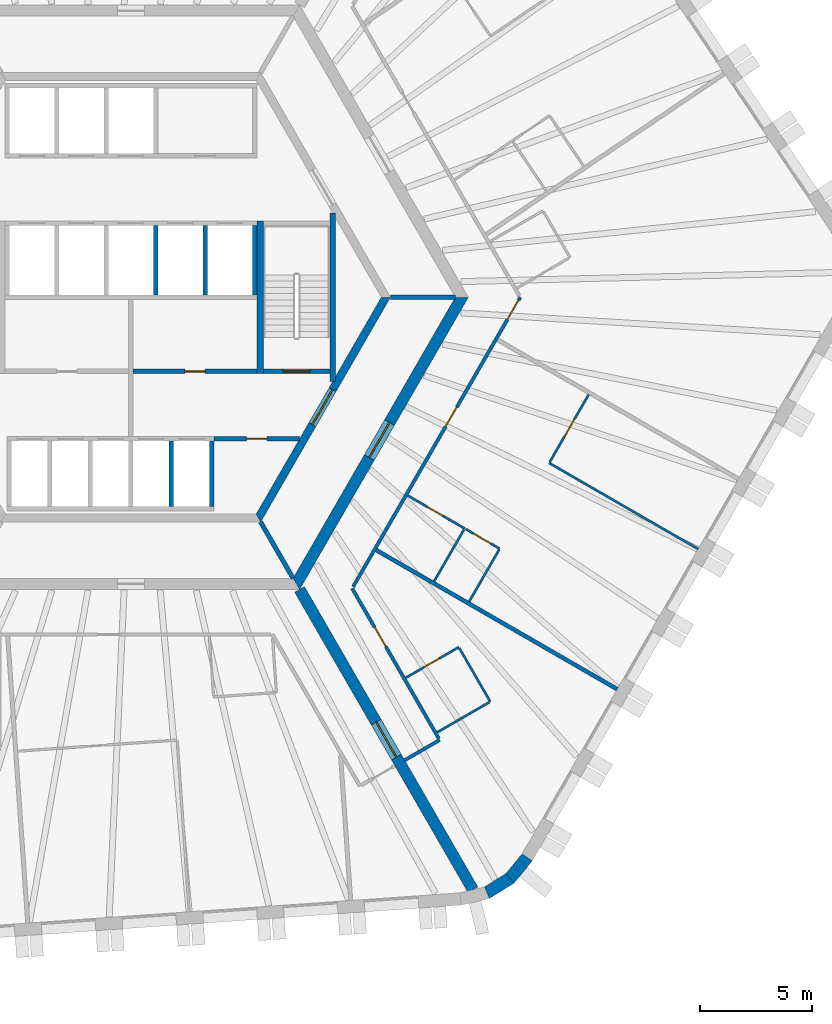
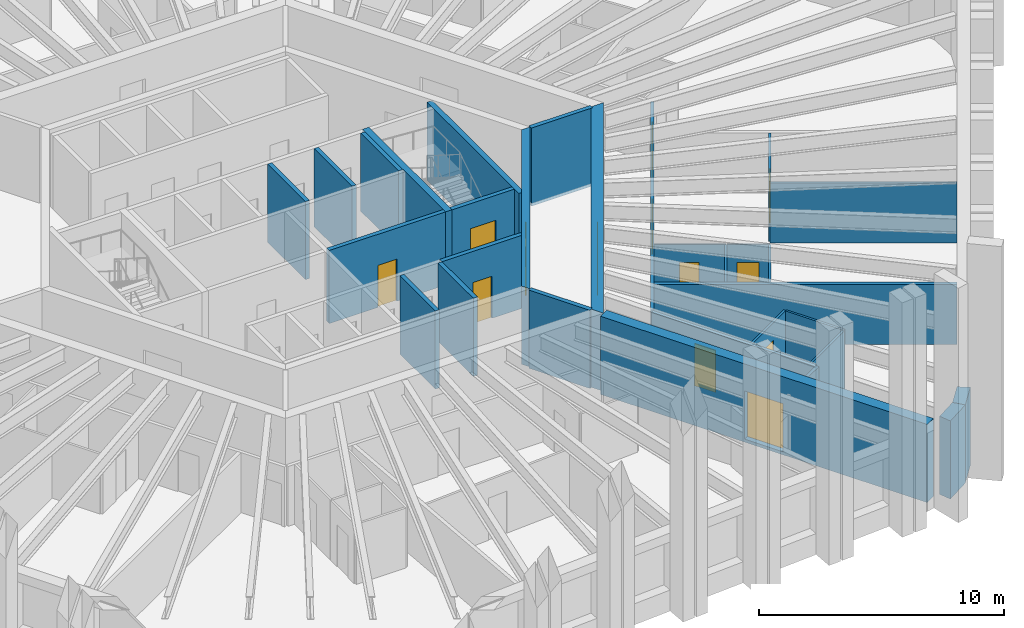
# One storey, part 5 of 11: 30 walls, 13 doors, 13 openings.
"""IFC4 building model written with IfcOpenShell, lengths in metres."""

import ifcopenshell
import ifcopenshell.guid

model = None  # the IFC model being written
_history = None  # IfcOwnerHistory: only IFC2X3 demands one
_inside = {}  # id of a spatial element -> (the spatial element, [elements in it])
_under = {}  # id of a project, library or spatial element -> (it, [spatial elements below it])
_declared = {}  # id of a project -> (the project, [libraries it declares])
_typed = {}  # id of a type object -> (the type object, [elements of that type])
_made_of = {}  # id of a material, layer set ... -> (it, [elements and type objects made of it])


def new_model(schema):
    """Start an empty IFC model of exactly this schema.

    Asked for "IFC4X3", IfcOpenShell would pick the latest addendum, in which some entities
    have other attributes; the version numbers below select the first issue.
    IFC2X3 requires an IfcOwnerHistory on every rooted entity: one is made here for all.
    """
    global model, _history
    if schema == "IFC4X3":
        model = ifcopenshell.file(schema_version=(4, 3, 0, 0))
    else:
        model = ifcopenshell.file(schema=schema)
    _inside.clear()
    _under.clear()
    _declared.clear()
    _typed.clear()
    _made_of.clear()
    _history = None
    if model.schema == "IFC2X3":
        org = make("IfcOrganization", Name="unknown")
        user = make(
            "IfcPersonAndOrganization",
            ThePerson=make("IfcPerson", FamilyName="unknown"),
            TheOrganization=org,
        )
        app = make(
            "IfcApplication",
            ApplicationDeveloper=org,
            Version="unknown",
            ApplicationFullName="unknown",
            ApplicationIdentifier="unknown",
        )
        _history = make(
            "IfcOwnerHistory",
            OwningUser=user,
            OwningApplication=app,
            ChangeAction="ADDED",
            CreationDate=0,
        )
    return model


def make(cls, **values):
    """One entity of the class cls with the attributes given. An attribute that is None is left unset."""
    return model.create_entity(
        cls, **{name: value for name, value in values.items() if value is not None}
    )


def rooted(cls, **values):
    """An entity with a GlobalId (a new one), such as an element, a storey or a relation."""
    return make(cls, GlobalId=ifcopenshell.guid.new(), OwnerHistory=_history, **values)


def si_unit(unit_type, name, prefix=None):
    """IfcSIUnit, for example si_unit("LENGTHUNIT", "METRE", prefix="MILLI")."""
    return make("IfcSIUnit", UnitType=unit_type, Prefix=prefix, Name=name)


def assignment(units):
    """IfcUnitAssignment: the units of a project."""
    return None if units is None else make("IfcUnitAssignment", Units=units)


def point(xyz):
    """IfcCartesianPoint."""
    return None if xyz is None else make("IfcCartesianPoint", Coordinates=xyz)


def direction(xyz):
    """IfcDirection."""
    return None if xyz is None else make("IfcDirection", DirectionRatios=xyz)


def frame(location, z_axis=None, x_axis=None):
    """IfcAxis2Placement3D, a coordinate frame: its origin and axes. An axis left out is left unset."""
    return make(
        "IfcAxis2Placement3D",
        Location=point(location),
        Axis=direction(z_axis),
        RefDirection=direction(x_axis),
    )


def frame_2d(location, x_axis=None):
    """IfcAxis2Placement2D, a coordinate frame in the plane: its origin and x axis."""
    return make(
        "IfcAxis2Placement2D", Location=point(location), RefDirection=direction(x_axis)
    )


def origin():
    """The frame at (0, 0, 0) with its axes left unset."""
    return frame((0.0, 0.0, 0.0))


def place(relative_to, where):
    """IfcLocalPlacement: puts the frame where relative to a parent placement (None: the world)."""
    return make(
        "IfcLocalPlacement", PlacementRelTo=relative_to, RelativePlacement=where
    )


def context(
    kind, dimensions, precision=None, world=None, true_north=None, identifier=None
):
    """IfcGeometricRepresentationContext, for example the 3D "Model" context."""
    return make(
        "IfcGeometricRepresentationContext",
        ContextIdentifier=identifier,
        ContextType=kind,
        CoordinateSpaceDimension=dimensions,
        Precision=precision,
        WorldCoordinateSystem=world,
        TrueNorth=true_north,
    )


def subcontext(parent, identifier, kind, view, scale=None):
    """IfcGeometricRepresentationSubContext, for example "Body" below "Model"."""
    return make(
        "IfcGeometricRepresentationSubContext",
        ContextIdentifier=identifier,
        ContextType=kind,
        ParentContext=parent,
        TargetScale=scale,
        TargetView=view,
    )


def project(units=None, contexts=None):
    """IfcProject with its units and contexts."""
    return rooted(
        "IfcProject",
        Name="project",
        RepresentationContexts=contexts,
        UnitsInContext=assignment(units),
    )


def spatial(cls, under=None, at=None, **own):
    """A site, building, storey or space (cls), placed at a placement, below another one or the project."""
    s = rooted(cls, ObjectPlacement=at, **own)
    if under is not None:
        _under.setdefault(under.id(), (under, []))[1].append(s)
    return s


def polyline(points):
    """IfcPolyline through the points."""
    return make("IfcPolyline", Points=[point(p) for p in points])


def profile(cls, at=None, kind="AREA", **sizes):
    """A parametric profile (cls). Its sizes go by their IFC names, for example OverallWidth=200.0."""
    return make(cls, ProfileType=kind, Position=at, **sizes)


def rectangle(**sizes):
    """IfcRectangleProfileDef."""
    return profile("IfcRectangleProfileDef", **sizes)


def outline(outer, holes=None, kind="AREA"):
    """IfcArbitraryClosedProfileDef: a profile drawn as a closed curve; with holes, ...WithVoids."""
    if holes is None:
        return make("IfcArbitraryClosedProfileDef", ProfileType=kind, OuterCurve=outer)
    return make(
        "IfcArbitraryProfileDefWithVoids",
        ProfileType=kind,
        OuterCurve=outer,
        InnerCurves=holes,
    )


def extrude(swept, where, along, depth):
    """IfcExtrudedAreaSolid: the profile swept, set in the frame where, extruded along a direction by depth."""
    return make(
        "IfcExtrudedAreaSolid",
        SweptArea=swept,
        Position=where,
        ExtrudedDirection=direction(along),
        Depth=depth,
    )


def shape(context_of_items, identifier, shape_type, items):
    """IfcShapeRepresentation: the items that make up one representation, for example the "Body"."""
    return make(
        "IfcShapeRepresentation",
        ContextOfItems=context_of_items,
        RepresentationIdentifier=identifier,
        RepresentationType=shape_type,
        Items=items,
    )


def material(Name=None, Category=None):
    """IfcMaterial."""
    return make("IfcMaterial", Name=Name, Category=Category)


def layer(
    of_material, thickness, ventilated=None, Name=None, Category=None, Priority=None
):
    """IfcMaterialLayer: one layer of a wall or slab, of a material (None: an air gap)."""
    return make(
        "IfcMaterialLayer",
        Material=of_material,
        LayerThickness=thickness,
        IsVentilated=ventilated,
        Name=Name,
        Category=Category,
        Priority=Priority,
    )


def layer_set(layers, Name=None):
    """IfcMaterialLayerSet."""
    return make("IfcMaterialLayerSet", MaterialLayers=layers, LayerSetName=Name)


def made_of(thing, what):
    """Note that an element or type object is made of a material, layer set ...; save() writes the relation."""
    if what is not None:
        _made_of.setdefault(what.id(), (what, []))[1].append(thing)
    return thing


def type_object(cls, material=None, **own):
    """A type object (cls), such as IfcWallType, which elements share."""
    return made_of(rooted(cls, **own), material)


def element(
    cls,
    number,
    at=None,
    inside=None,
    cuts=None,
    type_object=None,
    material=None,
    context=None,
    identifier="Body",
    shape_type=None,
    held_by="IfcProductDefinitionShape",
    body=None,
    shapes=None,
    **own,
):
    """One element of the class cls, such as IfcWall. Its Tag is "e" and its number.

    at: its placement. inside: the storey or other place that contains it. cuts: it is an
    opening in that element (IfcRelVoidsElement). A single representation is given by context,
    identifier, shape_type and body (its items); several are given by shapes. held_by: the class
    of the entity that holds the representations. save() writes the other relations.
    """
    e = rooted(cls, Tag="e%d" % number, ObjectPlacement=at, **own)
    if body is not None:
        shapes = [shape(context, identifier, shape_type, body)]
    if shapes is not None:
        e.Representation = make(held_by, Representations=shapes)
    if inside is not None:
        _inside.setdefault(inside.id(), (inside, []))[1].append(e)
    if cuts is not None:
        rooted(
            "IfcRelVoidsElement", RelatingBuildingElement=cuts, RelatedOpeningElement=e
        )
    if type_object is not None:
        _typed.setdefault(type_object.id(), (type_object, []))[1].append(e)
    return made_of(e, material)


def fill(opening, filler):
    """IfcRelFillsElement: the door or window that sits in an opening."""
    return rooted(
        "IfcRelFillsElement",
        RelatingOpeningElement=opening,
        RelatedBuildingElement=filler,
    )


def aggregate(whole, parts):
    """IfcRelAggregates: a whole, such as a stair, and the parts it consists of."""
    return rooted("IfcRelAggregates", RelatingObject=whole, RelatedObjects=parts)


def save(model, path):
    """Write the relations noted so far, then the file.

    IfcRelAggregates (storeys below a building ...), IfcRelContainedInSpatialStructure (elements
    in a storey), IfcRelDefinesByType, IfcRelAssociatesMaterial and IfcRelDeclares: one each for
    every whole, place, type object, material and project.
    """
    for whole, parts in _under.values():
        aggregate(whole, parts)
    for where, things in _inside.values():
        rooted(
            "IfcRelContainedInSpatialStructure",
            RelatedElements=things,
            RelatingStructure=where,
        )
    for kind, things in _typed.values():
        rooted("IfcRelDefinesByType", RelatedObjects=things, RelatingType=kind)
    for what, things in _made_of.values():
        rooted("IfcRelAssociatesMaterial", RelatedObjects=things, RelatingMaterial=what)
    for by, libraries in _declared.values():
        rooted("IfcRelDeclares", RelatingContext=by, RelatedDefinitions=libraries)
    model.write(path)


model = new_model("IFC4")

# Units and contexts
model_context = context("Model", 3, precision=1e-05, world=origin(), true_north=direction((0.0, 1.0)))
body_context = subcontext(model_context, "Body", "Model", "MODEL_VIEW")
ifc_project = project(units=[si_unit("LENGTHUNIT", "METRE"), si_unit("AREAUNIT", "SQUARE_METRE"), si_unit("VOLUMEUNIT", "CUBIC_METRE"), si_unit("PLANEANGLEUNIT", "RADIAN"), si_unit("MASSUNIT", "GRAM", prefix="KILO")], contexts=[model_context])

# Site, building, storey
site_placement = place(None, origin())
site = spatial("IfcSite", under=ifc_project, at=site_placement, CompositionType="ELEMENT")
building_placement = place(site_placement, origin())
building = spatial("IfcBuilding", under=site, at=building_placement, Name="Tarnside Tower", CompositionType="ELEMENT")
storey_placement = place(building_placement, frame((0.0, 0.0, 183.89990234375)))
storey = spatial("IfcBuildingStorey", under=building, at=storey_placement, Name="L43", CompositionType="ELEMENT", Elevation=183.89990234375)

# Wall, opening, door
ifc_material_1 = material(Name="Gypsum board partition on steel studs", Category="steel")
ifc_layer_1 = layer(ifc_material_1, 0.10009765625)
ifc_layer_set_1 = layer_set([ifc_layer_1], Name="Bathroom wall 100")
wall_type_1 = type_object("IfcWallType", Name="Bathroom wall 100", PredefinedType="PARTITIONING", material=ifc_layer_set_1)
wall_1_placement = place(storey_placement, frame((12.226806640625, -16.927490234375, 0.0), z_axis=(0.0, 0.0, 1.0), x_axis=(0.866012511928, 0.500022328685, 0.0)))
wall_1 = element("IfcWall", 1, at=wall_1_placement, inside=storey, type_object=wall_type_1, Name="Bathroom wall 14100", PredefinedType="PARTITIONING", context=body_context, shape_type="SweptSolid", body=[
    extrude(rectangle(XDim=2.72509765625, YDim=0.10009765625, at=frame_2d((1.362548828125, 0.0))), origin(), (0.0, 0.0, 1.0), 2.98779296875),
])
opening_1_placement = place(wall_1_placement, frame((0.925048828125, 0.0, 0.0)))
opening_1 = element("IfcOpeningElement", 2, at=opening_1_placement, cuts=wall_1, Name="Opening D-B1", PredefinedType="OPENING", context=body_context, shape_type="SweptSolid", body=[
    extrude(rectangle(XDim=0.800048828125, YDim=2.10009765625, at=frame_2d((0.39990234375, 1.050048828125))), frame((0.0, 0.06005859375, 0.0), z_axis=(0.0, -1.0, 0.0), x_axis=(1.0, 0.0, 0.0)), (0.0, 0.0, 1.0), 0.1201171875),
])
ifc_material_2 = material(Name="Timber door leaf", Category="wood")
door_type_1 = type_object("IfcDoorType", Name="Bathroom door 800", OperationType="NOTDEFINED", PredefinedType="DOOR", material=ifc_material_2)
door_1_placement = place(opening_1_placement, origin())
door_1 = element("IfcDoor", 3, at=door_1_placement, inside=storey, type_object=door_type_1, Name="Bathroom door 14026", OperationType="SINGLE_SWING_RIGHT", OverallHeight=2.10009765625, OverallWidth=0.800048828125, PredefinedType="DOOR", context=body_context, shape_type="SweptSolid", body=[
    extrude(rectangle(XDim=0.800048828125, YDim=2.10009765625, at=frame_2d((0.39990234375, 1.050048828125))), frame((0.0, 0.02490234375, 0.0), z_axis=(0.0, -1.0, 0.0), x_axis=(1.0, 0.0, 0.0)), (0.0, 0.0, 1.0), 0.050048828125),
])
fill(opening_1, door_1)

# Walls
wall_2_placement = place(storey_placement, frame((14.611572265625, -15.608154296875, 0.0), z_axis=(0.0, 0.0, 1.0), x_axis=(0.499996545922, -0.866027397988, 0.0)))
element("IfcWall", 4, at=wall_2_placement, inside=storey, type_object=wall_type_1, Name="Bathroom wall 14101", PredefinedType="PARTITIONING", context=body_context, shape_type="SweptSolid", body=[
    extrude(rectangle(XDim=2.75, YDim=0.10009765625, at=frame_2d((1.375, 0.0))), origin(), (0.0, 0.0, 1.0), 2.98779296875),
])
wall_3_placement = place(storey_placement, frame((15.943359375, -18.0146484375, 0.0), z_axis=(0.0, 0.0, 1.0), x_axis=(-0.866004723184, -0.50003581814, 0.0)))
element("IfcWall", 5, at=wall_3_placement, inside=storey, type_object=wall_type_1, Name="Bathroom wall 14102", PredefinedType="PARTITIONING", context=body_context, shape_type="SweptSolid", body=[
    extrude(rectangle(XDim=2.675048828125, YDim=0.10009765625, at=frame_2d((1.33740234375, 0.0))), origin(), (0.0, 0.0, 1.0), 2.98779296875),
])

# Wall, opening, door
wall_4_placement = place(storey_placement, frame((12.314208984375, -8.821044921875, 0.0), z_axis=(0.0, 0.0, 1.0), x_axis=(0.866046596414, -0.499963291492, 0.0)))
wall_4 = element("IfcWall", 6, at=wall_4_placement, inside=storey, type_object=wall_type_1, Name="Bathroom wall 14106", PredefinedType="PARTITIONING", context=body_context, shape_type="SweptSolid", body=[
    extrude(rectangle(XDim=2.925048828125, YDim=0.10009765625, at=frame_2d((1.46240234375, 0.0))), origin(), (0.0, 0.0, 1.0), 2.98779296875),
])
opening_2_placement = place(wall_4_placement, frame((1.02490234375, 0.0, 0.0)))
opening_2 = element("IfcOpeningElement", 7, at=opening_2_placement, cuts=wall_4, Name="Opening D-B1", PredefinedType="OPENING", context=body_context, shape_type="SweptSolid", body=[
    extrude(rectangle(XDim=0.800048828125, YDim=2.10009765625, at=frame_2d((0.39990234375, 1.050048828125))), frame((0.0, 0.06005859375, 0.0), z_axis=(0.0, -1.0, 0.0), x_axis=(1.0, 0.0, 0.0)), (0.0, 0.0, 1.0), 0.1201171875),
])
door_2_placement = place(opening_2_placement, origin())
door_2 = element("IfcDoor", 8, at=door_2_placement, inside=storey, type_object=door_type_1, Name="Bathroom door 14028", OperationType="SINGLE_SWING_RIGHT", OverallHeight=2.10009765625, OverallWidth=0.800048828125, PredefinedType="DOOR", context=body_context, shape_type="SweptSolid", body=[
    extrude(rectangle(XDim=0.800048828125, YDim=2.10009765625, at=frame_2d((0.39990234375, 1.050048828125))), frame((0.0, 0.02490234375, 0.0), z_axis=(0.0, -1.0, 0.0), x_axis=(1.0, 0.0, 0.0)), (0.0, 0.0, 1.0), 0.050048828125),
])
fill(opening_2, door_2)

# Wall
wall_5_placement = place(storey_placement, frame((13.492431640625, -12.63037109375, 0.0), z_axis=(0.0, 0.0, 1.0), x_axis=(0.50004820116, 0.865997573043, 0.0)))
element("IfcWall", 9, at=wall_5_placement, inside=storey, type_object=wall_type_1, Name="Bathroom wall 14112", PredefinedType="PARTITIONING", context=body_context, shape_type="SweptSolid", body=[
    extrude(rectangle(XDim=2.659912109375, YDim=0.10009765625, at=frame_2d((1.330078125, 0.0))), origin(), (0.0, 0.0, 1.0), 2.98779296875),
])

# Wall, opening, door
ifc_material_3 = material(Name="Concrete C50/60", Category="concrete")
ifc_layer_2 = layer(ifc_material_3, 0.35009765625)
ifc_layer_set_2 = layer_set([ifc_layer_2], Name="Core block wall 350 C50/60")
wall_type_2 = type_object("IfcWallType", Name="Core block wall 350 C50/60", PredefinedType="SHEAR", material=ifc_layer_set_2)
wall_6_placement = place(storey_placement, frame((5.672607421875, -9.824951171875, -0.14990234375), z_axis=(0.0, 0.0, 1.0), x_axis=(0.499995046907, 0.866028263435, 0.0)))
wall_6 = element("IfcWall", 10, at=wall_6_placement, inside=storey, type_object=wall_type_2, Name="L43 core block wall face 5", PredefinedType="SHEAR", context=body_context, shape_type="SweptSolid", body=[
    extrude(outline(polyline([(-0.10107421875, -0.175048828125), (11.44580078125, -0.175048828125), (11.24365234375, 0.175048828125), (0.10107421875, 0.175048828125), (-0.10107421875, -0.175048828125)])), origin(), (0.0, 0.0, 1.0), 3.89990234375),
])
opening_3_placement = place(wall_6_placement, frame((4.80126953125, 0.0, 0.14990234375)))
opening_3 = element("IfcOpeningElement", 11, at=opening_3_placement, cuts=wall_6, Name="Opening CD-FFL", PredefinedType="OPENING", context=body_context, shape_type="SweptSolid", body=[
    extrude(rectangle(XDim=1.800048828125, YDim=2.39990234375, at=frame_2d((0.89990234375, 1.199951171875))), frame((0.0, 0.18505859375, 0.0), z_axis=(0.0, -1.0, 0.0), x_axis=(1.0, 0.0, 0.0)), (0.0, 0.0, 1.0), 0.3701171875),
])
ifc_material_4 = material(Name="Steel fire door", Category="steel")
door_type_2 = type_object("IfcDoorType", Name="Firefighting lobby double door FD60S 1800x2400", OperationType="NOTDEFINED", PredefinedType="DOOR", material=ifc_material_4)
door_3_placement = place(opening_3_placement, origin())
door_3 = element("IfcDoor", 12, at=door_3_placement, inside=storey, type_object=door_type_2, Name="L43 lobby block door P4", OperationType="DOUBLE_DOOR_SINGLE_SWING", OverallHeight=2.39990234375, OverallWidth=1.800048828125, PredefinedType="DOOR", context=body_context, shape_type="SweptSolid", body=[
    extrude(rectangle(XDim=1.800048828125, YDim=2.39990234375, at=frame_2d((0.89990234375, 1.199951171875))), frame((0.0, 0.02490234375, 0.0), z_axis=(0.0, -1.0, 0.0), x_axis=(1.0, 0.0, 0.0)), (0.0, 0.0, 1.0), 0.050048828125),
])
fill(opening_3, door_3)

ifc_material_5 = material(Name="Concrete C40/50", Category="concrete")
ifc_layer_3 = layer(ifc_material_5, 0.199951171875)
ifc_layer_set_3 = layer_set([ifc_layer_3], Name="Core room partition 200 C40/50")
wall_type_3 = type_object("IfcWallType", Name="Core room partition 200 C40/50", PredefinedType="PARTITIONING", material=ifc_layer_set_3)
wall_7_placement = place(storey_placement, frame((0.10009765625, -3.300048828125, 0.0), z_axis=(0.0, 0.0, 1.0), x_axis=(1.0, 0.0, 0.0)))
wall_7 = element("IfcWall", 13, at=wall_7_placement, inside=storey, type_object=wall_type_3, Name="L43 core partition R3S1", PredefinedType="PARTITIONING", context=body_context, shape_type="SweptSolid", body=[
    extrude(rectangle(XDim=5.5, YDim=0.199951171875, at=frame_2d((2.75, 0.0))), origin(), (0.0, 0.0, 1.0), 3.650146484375),
])
opening_4_placement = place(wall_7_placement, frame((2.300048828125, 0.0, 0.0)))
opening_4 = element("IfcOpeningElement", 14, at=opening_4_placement, cuts=wall_7, Name="Opening CD-room", PredefinedType="OPENING", context=body_context, shape_type="SweptSolid", body=[
    extrude(rectangle(XDim=0.89990234375, YDim=2.10009765625, at=frame_2d((0.449951171875, 1.050048828125))), frame((0.0, 0.10986328125, 0.0), z_axis=(0.0, -1.0, 0.0), x_axis=(1.0, 0.0, 0.0)), (0.0, 0.0, 1.0), 0.219970703125),
])
door_type_3 = type_object("IfcDoorType", Name="Room door FD60 900x2100", OperationType="NOTDEFINED", PredefinedType="DOOR", material=ifc_material_4)
door_4_placement = place(opening_4_placement, origin())
door_4 = element("IfcDoor", 15, at=door_4_placement, inside=storey, type_object=door_type_3, Name="L43 core room door SR1", OperationType="SINGLE_SWING_LEFT", OverallHeight=2.10009765625, OverallWidth=0.89990234375, PredefinedType="DOOR", context=body_context, shape_type="SweptSolid", body=[
    extrude(rectangle(XDim=0.89990234375, YDim=2.10009765625, at=frame_2d((0.449951171875, 1.050048828125))), frame((0.0, 0.02490234375, 0.0), z_axis=(0.0, -1.0, 0.0), x_axis=(1.0, 0.0, 0.0)), (0.0, 0.0, 1.0), 0.050048828125),
])
fill(opening_4, door_4)

wall_8_placement = place(storey_placement, frame((3.699951171875, -6.300048828125, 0.0), z_axis=(0.0, 0.0, 1.0), x_axis=(1.0, 0.0, 0.0)))
wall_8 = element("IfcWall", 16, at=wall_8_placement, inside=storey, type_object=wall_type_3, Name="L43 core partition R4X", PredefinedType="PARTITIONING", context=body_context, shape_type="SweptSolid", body=[
    extrude(rectangle(XDim=3.8056640625, YDim=0.199951171875, at=frame_2d((1.90283203125, 0.0))), origin(), (0.0, 0.0, 1.0), 3.650146484375),
])
opening_5_placement = place(wall_8_placement, frame((1.452880859375, 0.0, 0.0)))
opening_5 = element("IfcOpeningElement", 17, at=opening_5_placement, cuts=wall_8, Name="Opening CD-room", PredefinedType="OPENING", context=body_context, shape_type="SweptSolid", body=[
    extrude(rectangle(XDim=0.89990234375, YDim=2.10009765625, at=frame_2d((0.449951171875, 1.050048828125))), frame((0.0, 0.10986328125, 0.0), z_axis=(0.0, -1.0, 0.0), x_axis=(1.0, 0.0, 0.0)), (0.0, 0.0, 1.0), 0.219970703125),
])
door_5_placement = place(opening_5_placement, origin())
door_5 = element("IfcDoor", 18, at=door_5_placement, inside=storey, type_object=door_type_3, Name="L43 core room door RX", OperationType="SINGLE_SWING_LEFT", OverallHeight=2.10009765625, OverallWidth=0.89990234375, PredefinedType="DOOR", context=body_context, shape_type="SweptSolid", body=[
    extrude(rectangle(XDim=0.89990234375, YDim=2.10009765625, at=frame_2d((0.449951171875, 1.050048828125))), frame((0.0, 0.02490234375, 0.0), z_axis=(0.0, -1.0, 0.0), x_axis=(1.0, 0.0, 0.0)), (0.0, 0.0, 1.0), 0.050048828125),
])
fill(opening_5, door_5)

ifc_material_6 = material(Name="Concrete C70/85", Category="concrete")
ifc_layer_4 = layer(ifc_material_6, 0.5)
ifc_layer_set_4 = layer_set([ifc_layer_4], Name="Core wall Z2 500 C70/85")
wall_type_4 = type_object("IfcWallType", Name="Core wall Z2 500 C70/85", PredefinedType="SHEAR", material=ifc_layer_set_4)
wall_9_placement = place(storey_placement, frame((7.361083984375, -12.75, -0.14990234375), z_axis=(0.0, 0.0, 1.0), x_axis=(0.50000571537, 0.866022103989, 0.0)))
wall_9 = element("IfcWall", 19, at=wall_9_placement, inside=storey, type_object=wall_type_4, Name="L43 core wall face 5", PredefinedType="SHEAR", context=body_context, shape_type="SweptSolid", body=[
    extrude(outline(polyline([(-0.144287109375, -0.25), (14.86669921875, -0.25), (14.578125, 0.25), (0.144287109375, 0.25), (-0.144287109375, -0.25)])), origin(), (0.0, 0.0, 1.0), 3.89990234375),
])
opening_6_placement = place(wall_9_placement, frame((6.489990234375, 0.0, 0.14990234375)))
opening_6 = element("IfcOpeningElement", 20, at=opening_6_placement, cuts=wall_9, Name="Opening CD-FFL", PredefinedType="OPENING", context=body_context, shape_type="SweptSolid", body=[
    extrude(rectangle(XDim=1.800048828125, YDim=2.39990234375, at=frame_2d((0.89990234375, 1.199951171875))), frame((0.0, 0.260009765625, 0.0), z_axis=(0.0, -1.0, 0.0), x_axis=(1.0, 0.0, 0.0)), (0.0, 0.0, 1.0), 0.52001953125),
])
door_6_placement = place(opening_6_placement, origin())
door_6 = element("IfcDoor", 21, at=door_6_placement, inside=storey, type_object=door_type_2, Name="L43 core door P4", OperationType="DOUBLE_DOOR_SINGLE_SWING", OverallHeight=2.39990234375, OverallWidth=1.800048828125, PredefinedType="DOOR", context=body_context, shape_type="SweptSolid", body=[
    extrude(rectangle(XDim=1.800048828125, YDim=2.39990234375, at=frame_2d((0.89990234375, 1.199951171875))), frame((0.0, 0.02490234375, 0.0), z_axis=(0.0, -1.0, 0.0), x_axis=(1.0, 0.0, 0.0)), (0.0, 0.0, 1.0), 0.050048828125),
])
fill(opening_6, door_6)

wall_10_placement = place(storey_placement, frame((7.505615234375, -13.0, -0.14990234375), z_axis=(0.0, 0.0, 1.0), x_axis=(0.499988271576, -0.866032175087, 0.0)))
wall_10 = element("IfcWall", 22, at=wall_10_placement, inside=storey, type_object=wall_type_4, Name="L43 spine wall 3", PredefinedType="SHEAR", context=body_context, shape_type="SweptSolid", body=[
    extrude(rectangle(XDim=15.423583984375, YDim=0.5, at=frame_2d((7.7119140625, 0.0))), origin(), (0.0, 0.0, 1.0), 3.89990234375),
])
opening_7_placement = place(wall_10_placement, frame((6.811767578125, 0.0, 0.14990234375)))
opening_7 = element("IfcOpeningElement", 23, at=opening_7_placement, cuts=wall_10, Name="Opening CD-SPN", PredefinedType="OPENING", context=body_context, shape_type="SweptSolid", body=[
    extrude(rectangle(XDim=1.800048828125, YDim=2.39990234375, at=frame_2d((0.89990234375, 1.199951171875))), frame((0.0, 0.260009765625, 0.0), z_axis=(0.0, -1.0, 0.0), x_axis=(1.0, 0.0, 0.0)), (0.0, 0.0, 1.0), 0.52001953125),
])
door_type_4 = type_object("IfcDoorType", Name="Spine passage double door FD60 1800x2400", OperationType="NOTDEFINED", PredefinedType="DOOR", material=ifc_material_4)
door_7_placement = place(opening_7_placement, origin())
door_7 = element("IfcDoor", 24, at=door_7_placement, inside=storey, type_object=door_type_4, Name="L43 spine passage door 3", OperationType="DOUBLE_DOOR_SINGLE_SWING", OverallHeight=2.39990234375, OverallWidth=1.800048828125, PredefinedType="DOOR", context=body_context, shape_type="SweptSolid", body=[
    extrude(rectangle(XDim=1.800048828125, YDim=2.39990234375, at=frame_2d((0.89990234375, 1.199951171875))), frame((0.0, 0.02490234375, 0.0), z_axis=(0.0, -1.0, 0.0), x_axis=(1.0, 0.0, 0.0)), (0.0, 0.0, 1.0), 0.050048828125),
])
fill(opening_7, door_7)

ifc_layer_5 = layer(ifc_material_1, 0.14990234375)
ifc_layer_set_5 = layer_set([ifc_layer_5], Name="Corridor wall 150 EI 60")
wall_type_5 = type_object("IfcWallType", Name="Corridor wall 150 EI 60", PredefinedType="PARTITIONING", material=ifc_layer_set_5)
wall_11_placement = place(storey_placement, frame((13.69921875, -19.6279296875, 0.0), z_axis=(0.0, 0.0, 1.0), x_axis=(-0.499993780622, 0.866028994514, 0.0)))
wall_11 = element("IfcWall", 25, at=wall_11_placement, inside=storey, type_object=wall_type_5, Name="Corridor wall 14035", PredefinedType="PARTITIONING", context=body_context, shape_type="SweptSolid", body=[
    extrude(rectangle(XDim=7.7109375, YDim=0.14990234375, at=frame_2d((3.85546875, 0.0))), origin(), (0.0, 0.0, 1.0), 2.98779296875),
])
opening_8_placement = place(wall_11_placement, frame((4.718017578125, 0.0, 0.0)))
opening_8 = element("IfcOpeningElement", 26, at=opening_8_placement, cuts=wall_11, Name="Opening D-E1", PredefinedType="OPENING", context=body_context, shape_type="SweptSolid", body=[
    extrude(rectangle(XDim=1.0, YDim=2.10009765625, at=frame_2d((0.5, 1.050048828125))), frame((0.0, 0.0849609375, 0.0), z_axis=(0.0, -1.0, 0.0), x_axis=(1.0, 0.0, 0.0)), (0.0, 0.0, 1.0), 0.169921875),
])
door_type_5 = type_object("IfcDoorType", Name="Unit entrance door 1000 FD30S", OperationType="NOTDEFINED", PredefinedType="DOOR", material=ifc_material_2)
door_8_placement = place(opening_8_placement, origin())
door_8 = element("IfcDoor", 27, at=door_8_placement, inside=storey, type_object=door_type_5, Name="Unit door 14025", OperationType="SINGLE_SWING_LEFT", OverallHeight=2.10009765625, OverallWidth=1.0, PredefinedType="DOOR", context=body_context, shape_type="SweptSolid", body=[
    extrude(rectangle(XDim=1.0, YDim=2.10009765625, at=frame_2d((0.5, 1.050048828125))), frame((0.0, 0.02490234375, 0.0), z_axis=(0.0, -1.0, 0.0), x_axis=(1.0, 0.0, 0.0)), (0.0, 0.0, 1.0), 0.050048828125),
])
fill(opening_8, door_8)

# Wall, openings, doors
wall_12_placement = place(storey_placement, frame((9.88720703125, -12.875, 0.0), z_axis=(0.0, 0.0, 1.0), x_axis=(0.499998228944, 0.866026426302, 0.0)))
wall_12 = element("IfcWall", 28, at=wall_12_placement, inside=storey, type_object=wall_type_5, Name="Corridor wall 14036", PredefinedType="PARTITIONING", context=body_context, shape_type="SweptSolid", body=[
    extrude(rectangle(XDim=14.86669921875, YDim=0.14990234375, at=frame_2d((7.433349609375, 0.0))), origin(), (0.0, 0.0, 1.0), 2.98779296875),
])
opening_9_placement = place(wall_12_placement, frame((8.224365234375, 0.0, 0.0)))
opening_9 = element("IfcOpeningElement", 29, at=opening_9_placement, cuts=wall_12, Name="Opening D-E1", PredefinedType="OPENING", context=body_context, shape_type="SweptSolid", body=[
    extrude(rectangle(XDim=1.0, YDim=2.10009765625, at=frame_2d((0.5, 1.050048828125))), frame((0.0, 0.0849609375, 0.0), z_axis=(0.0, -1.0, 0.0), x_axis=(1.0, 0.0, 0.0)), (0.0, 0.0, 1.0), 0.169921875),
])
opening_10_placement = place(wall_12_placement, frame((13.716796875, 0.0, 0.0)))
opening_10 = element("IfcOpeningElement", 30, at=opening_10_placement, cuts=wall_12, Name="Opening D-E1", PredefinedType="OPENING", context=body_context, shape_type="SweptSolid", body=[
    extrude(rectangle(XDim=1.0, YDim=2.10009765625, at=frame_2d((0.5, 1.050048828125))), frame((0.0, 0.0849609375, 0.0), z_axis=(0.0, -1.0, 0.0), x_axis=(1.0, 0.0, 0.0)), (0.0, 0.0, 1.0), 0.169921875),
])
door_9_placement = place(opening_9_placement, origin())
door_9 = element("IfcDoor", 31, at=door_9_placement, inside=storey, type_object=door_type_5, Name="Unit door 14027", OperationType="SINGLE_SWING_LEFT", OverallHeight=2.10009765625, OverallWidth=1.0, PredefinedType="DOOR", context=body_context, shape_type="SweptSolid", body=[
    extrude(rectangle(XDim=1.0, YDim=2.10009765625, at=frame_2d((0.5, 1.050048828125))), frame((0.0, 0.02490234375, 0.0), z_axis=(0.0, -1.0, 0.0), x_axis=(1.0, 0.0, 0.0)), (0.0, 0.0, 1.0), 0.050048828125),
])
fill(opening_9, door_9)
door_10_placement = place(opening_10_placement, origin())
door_10 = element("IfcDoor", 32, at=door_10_placement, inside=storey, type_object=door_type_5, Name="Unit door 14031", OperationType="SINGLE_SWING_LEFT", OverallHeight=2.10009765625, OverallWidth=1.0, PredefinedType="DOOR", context=body_context, shape_type="SweptSolid", body=[
    extrude(rectangle(XDim=1.0, YDim=2.10009765625, at=frame_2d((0.5, 1.050048828125))), frame((0.0, 0.02490234375, 0.0), z_axis=(0.0, -1.0, 0.0), x_axis=(1.0, 0.0, 0.0)), (0.0, 0.0, 1.0), 0.050048828125),
])
fill(opening_10, door_10)

# Walls
wall_13_placement = place(storey_placement, frame((12.177978515625, -20.5927734375, 0.0), z_axis=(0.0, 0.0, 1.0), x_axis=(0.866047807691, 0.499961193289, 0.0)))
element("IfcWall", 33, at=wall_13_placement, inside=storey, type_object=wall_type_5, Name="Corridor wall 14037", PredefinedType="PARTITIONING", context=body_context, shape_type="SweptSolid", body=[
    extrude(rectangle(XDim=1.800048828125, YDim=0.14990234375, at=frame_2d((0.89990234375, 0.0))), origin(), (0.0, 0.0, 1.0), 2.98779296875),
])
ifc_layer_6 = layer(ifc_material_1, 0.179931640625)
ifc_layer_set_6 = layer_set([ifc_layer_6], Name="Demising wall 180 EI 60")
wall_type_6 = type_object("IfcWallType", Name="Demising wall 180 EI 60", PredefinedType="PARTITIONING", material=ifc_layer_set_6)
wall_14_placement = place(storey_placement, frame((21.63134765625, -17.433349609375, 0.0), z_axis=(0.0, 0.0, 1.0), x_axis=(-0.866024931941, 0.500000817256, 0.0)))
element("IfcWall", 34, at=wall_14_placement, inside=storey, type_object=wall_type_6, Name="Demising wall 14103", PredefinedType="PARTITIONING", context=body_context, shape_type="SweptSolid", body=[
    extrude(rectangle(XDim=12.375, YDim=0.179931640625, at=frame_2d((6.1875, 0.0))), origin(), (0.0, 0.0, 1.0), 2.98779296875),
])
ifc_layer_7 = layer(ifc_material_5, 0.199951171875)
ifc_layer_set_7 = layer_set([ifc_layer_7], Name="Lift shaft wall 200 C40/50")
wall_type_7 = type_object("IfcWallType", Name="Lift shaft wall 200 C40/50", PredefinedType="SHEAR", material=ifc_layer_set_7)
for number, where, z_axis, x_axis, name in (
    (35, (1.10009765625, 0.10009765625, -0.25), (0.0, 0.0, 1.0), (0.0, 1.0, 0.0), "L43 lift shaft partition R24"),
    (36, (3.300048828125, 0.10009765625, -0.25), (0.0, 0.0, 1.0), (0.0, 1.0, 0.0), "L43 lift shaft partition R25"),
    (37, (5.5, 0.10009765625, -0.25), (0.0, 0.0, 1.0), (0.0, 1.0, 0.0), "L43 lift shaft partition R26"),
):
    element("IfcWall", number, at=place(storey_placement, frame(where, z_axis=z_axis, x_axis=x_axis)), inside=storey, type_object=wall_type_7, Name=name, PredefinedType="SHEAR", context=body_context, shape_type="SweptSolid", body=[
        extrude(rectangle(XDim=3.099853515625, YDim=0.199951171875, at=frame_2d((1.5498046875, 0.0))), origin(), (0.0, 0.0, 1.0), 3.900146484375),
    ])
for number, where, z_axis, x_axis, name in (
    (38, (1.800048828125, -9.300048828125, -0.25), (0.0, 0.0, 1.0), (0.0, 1.0, 0.0), "L43 lift shaft partition R45"),
    (39, (3.60009765625, -9.300048828125, -0.25), (0.0, 0.0, 1.0), (0.0, 1.0, 0.0), "L43 lift shaft partition R46"),
):
    element("IfcWall", number, at=place(storey_placement, frame(where, z_axis=z_axis, x_axis=x_axis)), inside=storey, type_object=wall_type_7, Name=name, PredefinedType="SHEAR", context=body_context, shape_type="SweptSolid", body=[
        extrude(rectangle(XDim=2.900146484375, YDim=0.199951171875, at=frame_2d((1.4501953125, 0.0))), origin(), (0.0, 0.0, 1.0), 3.900146484375),
    ])
for number, where, z_axis, x_axis, name in (
    (40, (11.547119140625, 0.0, -0.14990234375), (0.0, 0.0, 1.0), (1.0, 0.0, 0.0), "L43 core partition AR0"),
    (41, (5.7734375, -10.0, -0.14990234375), (0.0, 0.0, 1.0), (0.499995765644, -0.866027848477, 0.0), "L43 core partition AR300"),
):
    element("IfcWall", number, at=place(storey_placement, frame(where, z_axis=z_axis, x_axis=x_axis)), inside=storey, type_object=wall_type_7, Name=name, PredefinedType="SHEAR", context=body_context, shape_type="SweptSolid", body=[
        extrude(rectangle(XDim=2.88671875, YDim=0.199951171875, at=frame_2d((1.443359375, 0.0))), origin(), (0.0, 0.0, 1.0), 3.89990234375),
    ])

# Wall, opening, door
wall_15_placement = place(storey_placement, frame((5.89990234375, -3.300048828125, -0.25), z_axis=(0.0, 0.0, 1.0), x_axis=(1.0, 0.0, 0.0)))
wall_15 = element("IfcWall", 42, at=wall_15_placement, inside=storey, type_object=wall_type_7, Name="L43 stair 1 enclosure cap wall s", PredefinedType="SHEAR", context=body_context, shape_type="SweptSolid", body=[
    extrude(rectangle(XDim=2.9501953125, YDim=0.199951171875, at=frame_2d((1.47509765625, 0.0))), origin(), (0.0, 0.0, 1.0), 3.900146484375),
])
opening_11_placement = place(wall_15_placement, frame((0.875, 0.0, 0.25)))
opening_11 = element("IfcOpeningElement", 43, at=opening_11_placement, cuts=wall_15, Name="Opening CD-STR", PredefinedType="OPENING", context=body_context, shape_type="SweptSolid", body=[
    extrude(rectangle(XDim=1.199951171875, YDim=2.39990234375, at=frame_2d((0.60009765625, 1.199951171875))), frame((0.0, 0.10986328125, 0.0), z_axis=(0.0, -1.0, 0.0), x_axis=(1.0, 0.0, 0.0)), (0.0, 0.0, 1.0), 0.219970703125),
])
door_type_6 = type_object("IfcDoorType", Name="Stair door FD60S 1200x2400", OperationType="NOTDEFINED", PredefinedType="DOOR", material=ifc_material_4)
door_11_placement = place(opening_11_placement, origin())
door_11 = element("IfcDoor", 44, at=door_11_placement, inside=storey, type_object=door_type_6, Name="L43 stair 1 door", OperationType="SINGLE_SWING_LEFT", OverallHeight=2.39990234375, OverallWidth=1.199951171875, PredefinedType="DOOR", context=body_context, shape_type="SweptSolid", body=[
    extrude(rectangle(XDim=1.199951171875, YDim=2.39990234375, at=frame_2d((0.60009765625, 1.199951171875))), frame((0.0, 0.02490234375, 0.0), z_axis=(0.0, -1.0, 0.0), x_axis=(1.0, 0.0, 0.0)), (0.0, 0.0, 1.0), 0.050048828125),
])
fill(opening_11, door_11)

ifc_layer_8 = layer(ifc_material_1, 0.10009765625)
ifc_layer_set_8 = layer_set([ifc_layer_8], Name="Partition 100")
wall_type_8 = type_object("IfcWallType", Name="Partition 100", PredefinedType="PARTITIONING", material=ifc_layer_set_8)
wall_16_placement = place(storey_placement, frame((14.890625, -10.30859375, 0.0), z_axis=(0.0, 0.0, 1.0), x_axis=(0.866036909293, -0.499980071345, 0.0)))
wall_16 = element("IfcWall", 45, at=wall_16_placement, inside=storey, type_object=wall_type_8, Name="Partition wall 14107", PredefinedType="PARTITIONING", context=body_context, shape_type="SweptSolid", body=[
    extrude(rectangle(XDim=1.75, YDim=0.10009765625, at=frame_2d((0.875, 0.0))), origin(), (0.0, 0.0, 1.0), 2.98779296875),
])
opening_12_placement = place(wall_16_placement, frame((0.39990234375, 0.0, 0.0)))
opening_12 = element("IfcOpeningElement", 46, at=opening_12_placement, cuts=wall_16, Name="Opening D-I1", PredefinedType="OPENING", context=body_context, shape_type="SweptSolid", body=[
    extrude(rectangle(XDim=0.89990234375, YDim=2.10009765625, at=frame_2d((0.449951171875, 1.050048828125))), frame((0.0, 0.06005859375, 0.0), z_axis=(0.0, -1.0, 0.0), x_axis=(1.0, 0.0, 0.0)), (0.0, 0.0, 1.0), 0.1201171875),
])
door_type_7 = type_object("IfcDoorType", Name="Internal door 900", OperationType="NOTDEFINED", PredefinedType="DOOR", material=ifc_material_2)
door_12_placement = place(opening_12_placement, origin())
door_12 = element("IfcDoor", 47, at=door_12_placement, inside=storey, type_object=door_type_7, Name="Internal door 14029", OperationType="SINGLE_SWING_RIGHT", OverallHeight=2.10009765625, OverallWidth=0.89990234375, PredefinedType="DOOR", context=body_context, shape_type="SweptSolid", body=[
    extrude(rectangle(XDim=0.89990234375, YDim=2.10009765625, at=frame_2d((0.449951171875, 1.050048828125))), frame((0.0, 0.02490234375, 0.0), z_axis=(0.0, -1.0, 0.0), x_axis=(1.0, 0.0, 0.0)), (0.0, 0.0, 1.0), 0.050048828125),
])
fill(opening_12, door_12)

# Walls
wall_17_placement = place(storey_placement, frame((16.38134765625, -11.226806640625, 0.0), z_axis=(0.0, 0.0, 1.0), x_axis=(-0.500008456887, -0.866020521143, 0.0)))
element("IfcWall", 48, at=wall_17_placement, inside=storey, type_object=wall_type_8, Name="Partition wall 14108", PredefinedType="PARTITIONING", context=body_context, shape_type="SweptSolid", body=[
    extrude(rectangle(XDim=2.66015625, YDim=0.10009765625, at=frame_2d((1.330078125, 0.0))), origin(), (0.0, 0.0, 1.0), 2.98779296875),
])
wall_18_placement = place(storey_placement, frame((25.2314453125, -11.197998046875, 0.0), z_axis=(0.0, 0.0, 1.0), x_axis=(-0.866033062874, 0.499986733834, 0.0)))
element("IfcWall", 49, at=wall_18_placement, inside=storey, type_object=wall_type_8, Name="Partition wall 14109", PredefinedType="PARTITIONING", context=body_context, shape_type="SweptSolid", body=[
    extrude(rectangle(XDim=7.650146484375, YDim=0.10009765625, at=frame_2d((3.8251953125, 0.0))), origin(), (0.0, 0.0, 1.0), 2.98779296875),
])

# Wall, opening, door
wall_19_placement = place(storey_placement, frame((18.63134765625, -7.329833984375, 0.0), z_axis=(0.0, 0.0, 1.0), x_axis=(0.499978980201, 0.866037539231, 0.0)))
wall_19 = element("IfcWall", 50, at=wall_19_placement, inside=storey, type_object=wall_type_8, Name="Partition wall 14110", PredefinedType="PARTITIONING", context=body_context, shape_type="SweptSolid", body=[
    extrude(rectangle(XDim=3.460205078125, YDim=0.10009765625, at=frame_2d((1.72998046875, 0.0))), origin(), (0.0, 0.0, 1.0), 2.98779296875),
])
opening_13_placement = place(wall_19_placement, frame((1.300048828125, 0.0, 0.0)))
opening_13 = element("IfcOpeningElement", 51, at=opening_13_placement, cuts=wall_19, Name="Opening D-I1", PredefinedType="OPENING", context=body_context, shape_type="SweptSolid", body=[
    extrude(rectangle(XDim=0.89990234375, YDim=2.10009765625, at=frame_2d((0.449951171875, 1.050048828125))), frame((0.0, 0.06005859375, 0.0), z_axis=(0.0, -1.0, 0.0), x_axis=(1.0, 0.0, 0.0)), (0.0, 0.0, 1.0), 0.1201171875),
])
door_13_placement = place(opening_13_placement, origin())
door_13 = element("IfcDoor", 52, at=door_13_placement, inside=storey, type_object=door_type_7, Name="Internal door 14030", OperationType="SINGLE_SWING_RIGHT", OverallHeight=2.10009765625, OverallWidth=0.89990234375, PredefinedType="DOOR", context=body_context, shape_type="SweptSolid", body=[
    extrude(rectangle(XDim=0.89990234375, YDim=2.10009765625, at=frame_2d((0.449951171875, 1.050048828125))), frame((0.0, 0.02490234375, 0.0), z_axis=(0.0, -1.0, 0.0), x_axis=(1.0, 0.0, 0.0)), (0.0, 0.0, 1.0), 0.050048828125),
])
fill(opening_13, door_13)

# Walls
ifc_layer_9 = layer(ifc_material_5, 0.25)
ifc_layer_set_9 = layer_set([ifc_layer_9], Name="Stair enclosure wall 250 C40/50")
wall_type_9 = type_object("IfcWallType", Name="Stair enclosure wall 250 C40/50", PredefinedType="SHEAR", material=ifc_layer_set_9)
wall_20_placement = place(storey_placement, frame((8.97509765625, -3.7548828125, -0.25), z_axis=(0.0, 0.0, 1.0), x_axis=(0.0, 1.0, 0.0)))
element("IfcWall", 53, at=wall_20_placement, inside=storey, type_object=wall_type_9, Name="L43 stair 1 enclosure wall outer", PredefinedType="SHEAR", context=body_context, shape_type="SweptSolid", body=[
    extrude(rectangle(XDim=7.509765625, YDim=0.25, at=frame_2d((3.7548828125, 0.0))), origin(), (0.0, 0.0, 1.0), 3.900146484375),
])
ifc_layer_10 = layer(ifc_material_5, 0.300048828125)
ifc_layer_set_10 = layer_set([ifc_layer_10], Name="Stair enclosure wall 300 C40/50")
wall_type_10 = type_object("IfcWallType", Name="Stair enclosure wall 300 C40/50", PredefinedType="SHEAR", material=ifc_layer_set_10)
wall_21_placement = place(storey_placement, frame((5.75, -3.39990234375, -0.25), z_axis=(0.0, 0.0, 1.0), x_axis=(0.0, 1.0, 0.0)))
element("IfcWall", 54, at=wall_21_placement, inside=storey, type_object=wall_type_10, Name="L43 stair 1 enclosure wall inner", PredefinedType="SHEAR", context=body_context, shape_type="SweptSolid", body=[
    extrude(rectangle(XDim=6.7998046875, YDim=0.300048828125, at=frame_2d((3.39990234375, 0.0))), origin(), (0.0, 0.0, 1.0), 3.900146484375),
])
ifc_material_7 = material(Name="Facing brick", Category="masonry")
ifc_layer_11 = layer(ifc_material_7, 0.10205078125)
ifc_material_8 = material(Name="Concrete C60/75 precast", Category="concrete")
ifc_layer_12 = layer(ifc_material_8, 0.347900390625)
ifc_material_9 = material(Name="Mineral wool insulation")
ifc_layer_13 = layer(ifc_material_9, 0.10009765625)
ifc_layer_set_11 = layer_set([ifc_layer_11, ifc_layer_12, ifc_layer_13], Name="Tube wall 550 brick faced")
wall_type_11 = type_object("IfcWallType", Name="Tube wall 550 brick faced", PredefinedType="SOLIDWALL", material=ifc_layer_set_11)
wall_22_placement = place(storey_placement, frame((15.839599609375, -26.48876953125, -0.14990234375), z_axis=(0.0, 0.0, 1.0), x_axis=(0.848009655012, 0.52998077796, 0.0)))
element("IfcWall", 55, at=wall_22_placement, inside=storey, type_object=wall_type_11, Name="Tube wall L43 F4 chord 14", PredefinedType="SOLIDWALL", context=body_context, shape_type="SweptSolid", body=[
    extrude(outline(polyline([(-0.045166015625, -0.27490234375), (1.25341796875, -0.27490234375), (1.1630859375, 0.27490234375), (0.045166015625, 0.27490234375), (-0.045166015625, -0.27490234375)])), origin(), (0.0, 0.0, 1.0), 3.89990234375),
])
wall_23_placement = place(storey_placement, frame((16.8642578125, -25.848388671875, -0.14990234375), z_axis=(0.0, 0.0, 1.0), x_axis=(0.633842757806, 0.773461930787, 0.0)))
element("IfcWall", 56, at=wall_23_placement, inside=storey, type_object=wall_type_11, Name="Tube wall L43 F4 chord 15", PredefinedType="SOLIDWALL", context=body_context, shape_type="SweptSolid", body=[
    extrude(outline(polyline([(-0.045166015625, -0.27490234375), (1.230712890625, -0.27490234375), (1.185791015625, 0.27490234375), (0.045166015625, 0.27490234375), (-0.045166015625, -0.27490234375)])), origin(), (0.0, 0.0, 1.0), 3.89990234375),
])

save(model, "model.ifc")
